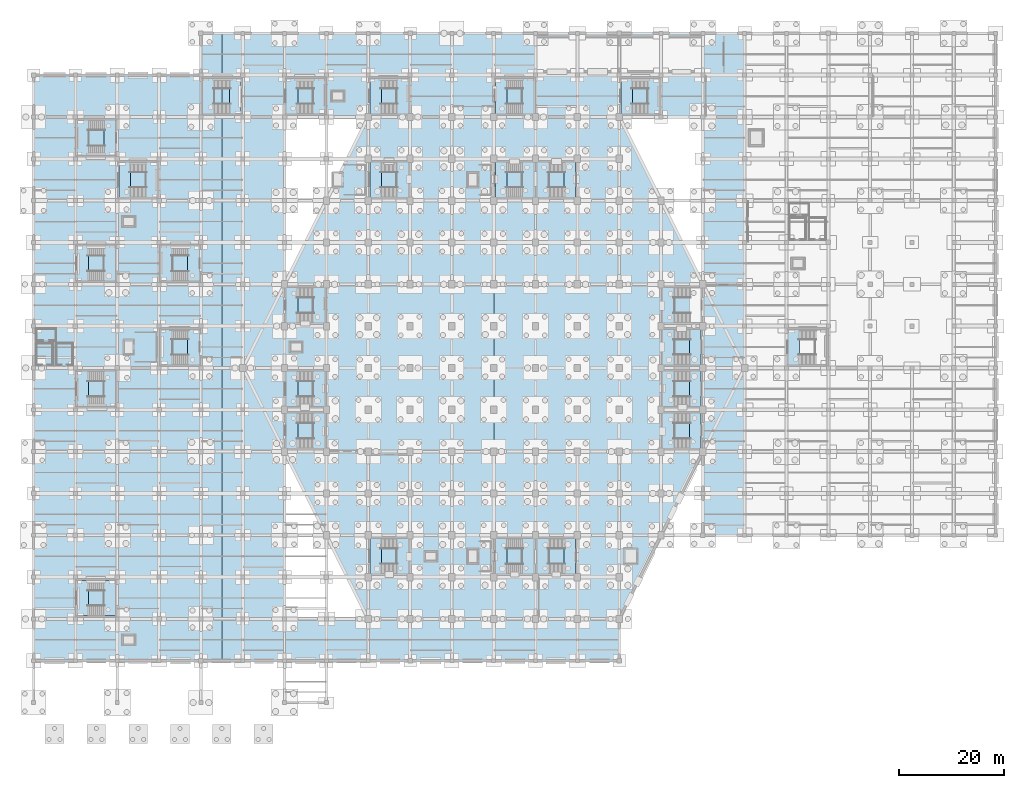
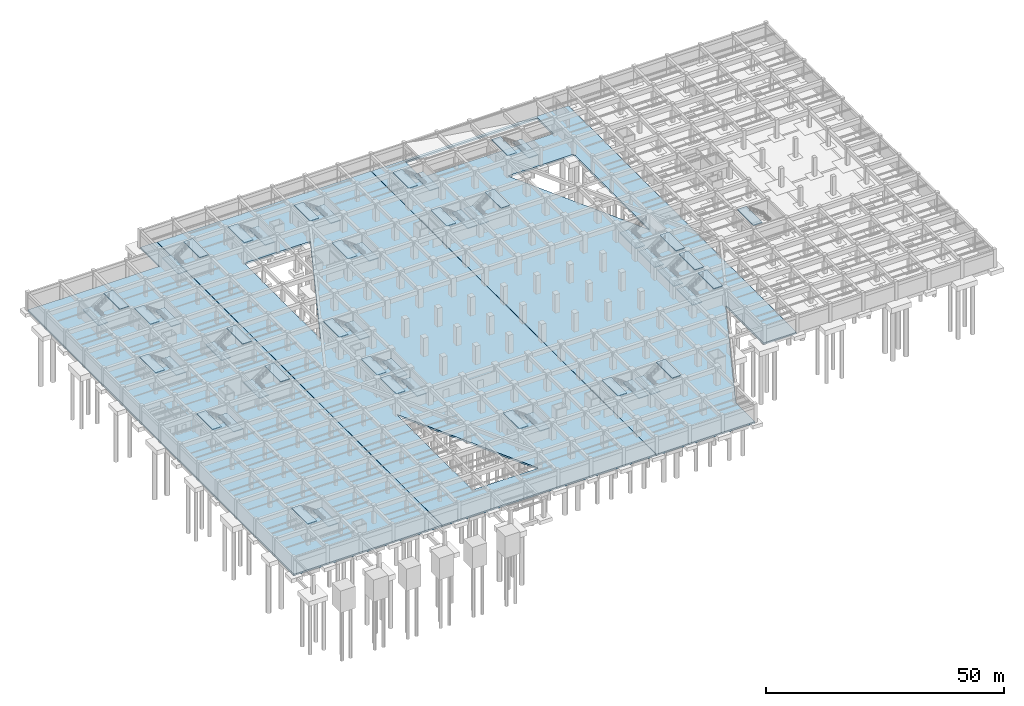
# One storey, part 21 of 36: 53 slabs, 26 elements without a shape of their own.
"""IFC4 building model written with IfcOpenShell, lengths in metres."""

from ifc_helpers import new_model, si_unit, direction, frame, origin, place, context, subcontext, project, spatial, polyline, outline, extrude, material, layer, layer_set, type_object, element, aggregate, save


model = new_model("IFC4")

# Units and contexts
model_context = context("Model", 3, precision=1e-05, world=origin(), true_north=direction((0.0, 1.0)))
body_context = subcontext(model_context, "Body", "Model", "MODEL_VIEW")
ifc_project = project(units=[si_unit("LENGTHUNIT", "METRE"), si_unit("AREAUNIT", "SQUARE_METRE"), si_unit("VOLUMEUNIT", "CUBIC_METRE"), si_unit("PLANEANGLEUNIT", "RADIAN"), si_unit("MASSUNIT", "GRAM", prefix="KILO")], contexts=[model_context])

# Site, building, storey
site_placement = place(None, origin())
site = spatial("IfcSite", under=ifc_project, at=site_placement, CompositionType="ELEMENT")
building_placement = place(site_placement, origin())
building = spatial("IfcBuilding", under=site, at=building_placement, Name="Tazarka Park Arena", CompositionType="ELEMENT")
storey_placement = place(building_placement, frame((0.0, 0.0, -4.800048828125)))
storey = spatial("IfcBuildingStorey", under=building, at=storey_placement, Name="B1", CompositionType="ELEMENT", Elevation=-4.800048828125)

# Stair, slabs
ifc_material_1 = material(Name="Precast concrete C40/50", Category="concrete")
stair_type_1 = type_object("IfcStairType", Name="STR-2400", PredefinedType="HALF_TURN_STAIR", material=ifc_material_1)
stair_1_placement = place(storey_placement, origin())
stair_1 = element("IfcStair", 1, at=stair_1_placement, inside=storey, type_object=stair_type_1, Name="Stair ST01 B1", PredefinedType="HALF_TURN_STAIR")
ifc_material_2 = material(Name="Precast concrete C40/50", Category="concrete")
ifc_layer_1 = layer(ifc_material_2, 0.199951171875, Name="Precast concrete C40/50")
ifc_layer_set_1 = layer_set([ifc_layer_1], Name="Precast concrete C40/50")
slab_type_1 = type_object("IfcSlabType", Name="LND-01", PredefinedType="LANDING", material=ifc_layer_set_1)
slab_1_placement = place(storey_placement, frame((0.0, 0.0, 2.199951171875)))
slab_1 = element("IfcSlab", 2, at=slab_1_placement, type_object=slab_type_1, Name="ST01-B1 landing 1", PredefinedType="LANDING", context=body_context, shape_type="SweptSolid", body=[
    extrude(outline(polyline([(13.409912109375, 56.610107421875), (15.68994140625, 56.610107421875), (15.68994140625, 63.389892578125), (13.409912109375, 63.389892578125), (13.409912109375, 56.610107421875)])), origin(), (0.0, 0.0, 1.0), 0.2001953125),
])
slab_2_placement = place(storey_placement, frame((0.0, 0.0, 4.60009765625)))
slab_2 = element("IfcSlab", 3, at=slab_2_placement, type_object=slab_type_1, Name="ST01-B1 landing 2", PredefinedType="LANDING", context=body_context, shape_type="SweptSolid", body=[
    extrude(outline(polyline([(8.31005859375, 56.610107421875), (10.534912109375, 56.610107421875), (10.534912109375, 63.389892578125), (8.31005859375, 63.389892578125), (8.31005859375, 56.610107421875)])), origin(), (0.0, 0.0, 1.0), 0.199951171875),
])
aggregate(stair_1, [slab_1, slab_2])

stair_2_placement = place(storey_placement, origin())
stair_2 = element("IfcStair", 4, at=stair_2_placement, inside=storey, type_object=stair_type_1, Name="Stair ST02 B1", PredefinedType="HALF_TURN_STAIR")
slab_3_placement = place(storey_placement, frame((0.0, 0.0, 2.199951171875)))
slab_3 = element("IfcSlab", 5, at=slab_3_placement, type_object=slab_type_1, Name="ST02-B1 landing 1", PredefinedType="LANDING", context=body_context, shape_type="SweptSolid", body=[
    extrude(outline(polyline([(13.409912109375, 80.610107421875), (15.68994140625, 80.610107421875), (15.68994140625, 87.389892578125), (13.409912109375, 87.389892578125), (13.409912109375, 80.610107421875)])), origin(), (0.0, 0.0, 1.0), 0.2001953125),
])
slab_4_placement = place(storey_placement, frame((0.0, 0.0, 4.60009765625)))
slab_4 = element("IfcSlab", 6, at=slab_4_placement, type_object=slab_type_1, Name="ST02-B1 landing 2", PredefinedType="LANDING", context=body_context, shape_type="SweptSolid", body=[
    extrude(outline(polyline([(8.31005859375, 80.610107421875), (10.534912109375, 80.610107421875), (10.534912109375, 87.389892578125), (8.31005859375, 87.389892578125), (8.31005859375, 80.610107421875)])), origin(), (0.0, 0.0, 1.0), 0.199951171875),
])
aggregate(stair_2, [slab_3, slab_4])

stair_3_placement = place(storey_placement, origin())
stair_3 = element("IfcStair", 7, at=stair_3_placement, inside=storey, type_object=stair_type_1, Name="Stair ST03 B1", PredefinedType="HALF_TURN_STAIR")
slab_5_placement = place(storey_placement, frame((0.0, 0.0, 2.199951171875)))
slab_5 = element("IfcSlab", 8, at=slab_5_placement, type_object=slab_type_1, Name="ST03-B1 landing 1", PredefinedType="LANDING", context=body_context, shape_type="SweptSolid", body=[
    extrude(outline(polyline([(21.409912109375, 96.610107421875), (23.68994140625, 96.610107421875), (23.68994140625, 103.389892578125), (21.409912109375, 103.389892578125), (21.409912109375, 96.610107421875)])), origin(), (0.0, 0.0, 1.0), 0.2001953125),
])
slab_6_placement = place(storey_placement, frame((0.0, 0.0, 4.60009765625)))
slab_6 = element("IfcSlab", 9, at=slab_6_placement, type_object=slab_type_1, Name="ST03-B1 landing 2", PredefinedType="LANDING", context=body_context, shape_type="SweptSolid", body=[
    extrude(outline(polyline([(16.31005859375, 96.610107421875), (18.534912109375, 96.610107421875), (18.534912109375, 103.389892578125), (16.31005859375, 103.389892578125), (16.31005859375, 96.610107421875)])), origin(), (0.0, 0.0, 1.0), 0.199951171875),
])
aggregate(stair_3, [slab_5, slab_6])

stair_4_placement = place(storey_placement, origin())
stair_4 = element("IfcStair", 10, at=stair_4_placement, inside=storey, type_object=stair_type_1, Name="Stair ST04 B1", PredefinedType="HALF_TURN_STAIR")
slab_7_placement = place(storey_placement, frame((0.0, 0.0, 2.199951171875)))
slab_7 = element("IfcSlab", 11, at=slab_7_placement, type_object=slab_type_1, Name="ST04-B1 landing 1", PredefinedType="LANDING", context=body_context, shape_type="SweptSolid", body=[
    extrude(outline(polyline([(32.31005859375, 112.610107421875), (34.590087890625, 112.610107421875), (34.590087890625, 119.389892578125), (32.31005859375, 119.389892578125), (32.31005859375, 112.610107421875)])), origin(), (0.0, 0.0, 1.0), 0.2001953125),
])
slab_8_placement = place(storey_placement, frame((0.0, 0.0, 4.60009765625)))
slab_8 = element("IfcSlab", 12, at=slab_8_placement, type_object=slab_type_1, Name="ST04-B1 landing 2", PredefinedType="LANDING", context=body_context, shape_type="SweptSolid", body=[
    extrude(outline(polyline([(37.465087890625, 112.610107421875), (39.68994140625, 112.610107421875), (39.68994140625, 119.389892578125), (37.465087890625, 119.389892578125), (37.465087890625, 112.610107421875)])), origin(), (0.0, 0.0, 1.0), 0.199951171875),
])
aggregate(stair_4, [slab_7, slab_8])

stair_5_placement = place(storey_placement, origin())
stair_5 = element("IfcStair", 13, at=stair_5_placement, inside=storey, type_object=stair_type_1, Name="Stair ST05 B1", PredefinedType="HALF_TURN_STAIR")
slab_9_placement = place(storey_placement, frame((0.0, 0.0, 2.199951171875)))
slab_9 = element("IfcSlab", 14, at=slab_9_placement, type_object=slab_type_1, Name="ST05-B1 landing 1", PredefinedType="LANDING", context=body_context, shape_type="SweptSolid", body=[
    extrude(outline(polyline([(53.409912109375, 112.610107421875), (55.68994140625, 112.610107421875), (55.68994140625, 119.389892578125), (53.409912109375, 119.389892578125), (53.409912109375, 112.610107421875)])), origin(), (0.0, 0.0, 1.0), 0.2001953125),
])
slab_10_placement = place(storey_placement, frame((0.0, 0.0, 4.60009765625)))
slab_10 = element("IfcSlab", 15, at=slab_10_placement, type_object=slab_type_1, Name="ST05-B1 landing 2", PredefinedType="LANDING", context=body_context, shape_type="SweptSolid", body=[
    extrude(outline(polyline([(48.31005859375, 112.610107421875), (50.534912109375, 112.610107421875), (50.534912109375, 119.389892578125), (48.31005859375, 119.389892578125), (48.31005859375, 112.610107421875)])), origin(), (0.0, 0.0, 1.0), 0.199951171875),
])
aggregate(stair_5, [slab_9, slab_10])

stair_6_placement = place(storey_placement, origin())
stair_6 = element("IfcStair", 16, at=stair_6_placement, inside=storey, type_object=stair_type_1, Name="Stair ST06 B1", PredefinedType="HALF_TURN_STAIR")
slab_11_placement = place(storey_placement, frame((0.0, 0.0, 2.199951171875)))
slab_11 = element("IfcSlab", 17, at=slab_11_placement, type_object=slab_type_1, Name="ST06-B1 landing 1", PredefinedType="LANDING", context=body_context, shape_type="SweptSolid", body=[
    extrude(outline(polyline([(69.409912109375, 112.610107421875), (71.68994140625, 112.610107421875), (71.68994140625, 119.389892578125), (69.409912109375, 119.389892578125), (69.409912109375, 112.610107421875)])), origin(), (0.0, 0.0, 1.0), 0.2001953125),
])
slab_12_placement = place(storey_placement, frame((0.0, 0.0, 4.60009765625)))
slab_12 = element("IfcSlab", 18, at=slab_12_placement, type_object=slab_type_1, Name="ST06-B1 landing 2", PredefinedType="LANDING", context=body_context, shape_type="SweptSolid", body=[
    extrude(outline(polyline([(64.31005859375, 112.610107421875), (66.534912109375, 112.610107421875), (66.534912109375, 119.389892578125), (64.31005859375, 119.389892578125), (64.31005859375, 112.610107421875)])), origin(), (0.0, 0.0, 1.0), 0.199951171875),
])
aggregate(stair_6, [slab_11, slab_12])

stair_7_placement = place(storey_placement, origin())
stair_7 = element("IfcStair", 19, at=stair_7_placement, inside=storey, type_object=stair_type_1, Name="Stair ST07 B1", PredefinedType="HALF_TURN_STAIR")
slab_13_placement = place(storey_placement, frame((0.0, 0.0, 2.199951171875)))
slab_13 = element("IfcSlab", 20, at=slab_13_placement, type_object=slab_type_1, Name="ST07-B1 landing 1", PredefinedType="LANDING", context=body_context, shape_type="SweptSolid", body=[
    extrude(outline(polyline([(93.409912109375, 112.610107421875), (95.68994140625, 112.610107421875), (95.68994140625, 119.389892578125), (93.409912109375, 119.389892578125), (93.409912109375, 112.610107421875)])), origin(), (0.0, 0.0, 1.0), 0.2001953125),
])
slab_14_placement = place(storey_placement, frame((0.0, 0.0, 4.60009765625)))
slab_14 = element("IfcSlab", 21, at=slab_14_placement, type_object=slab_type_1, Name="ST07-B1 landing 2", PredefinedType="LANDING", context=body_context, shape_type="SweptSolid", body=[
    extrude(outline(polyline([(88.31005859375, 112.610107421875), (90.534912109375, 112.610107421875), (90.534912109375, 119.389892578125), (88.31005859375, 119.389892578125), (88.31005859375, 112.610107421875)])), origin(), (0.0, 0.0, 1.0), 0.199951171875),
])
aggregate(stair_7, [slab_13, slab_14])

stair_8_placement = place(storey_placement, origin())
stair_8 = element("IfcStair", 22, at=stair_8_placement, inside=storey, type_object=stair_type_1, Name="Stair ST08 B1", PredefinedType="HALF_TURN_STAIR")
slab_15_placement = place(storey_placement, frame((0.0, 0.0, 2.199951171875)))
slab_15 = element("IfcSlab", 23, at=slab_15_placement, type_object=slab_type_1, Name="ST08-B1 landing 1", PredefinedType="LANDING", context=body_context, shape_type="SweptSolid", body=[
    extrude(outline(polyline([(117.409912109375, 112.610107421875), (119.68994140625, 112.610107421875), (119.68994140625, 119.389892578125), (117.409912109375, 119.389892578125), (117.409912109375, 112.610107421875)])), origin(), (0.0, 0.0, 1.0), 0.2001953125),
])
slab_16_placement = place(storey_placement, frame((0.0, 0.0, 4.60009765625)))
slab_16 = element("IfcSlab", 24, at=slab_16_placement, type_object=slab_type_1, Name="ST08-B1 landing 2", PredefinedType="LANDING", context=body_context, shape_type="SweptSolid", body=[
    extrude(outline(polyline([(112.31005859375, 112.610107421875), (114.534912109375, 112.610107421875), (114.534912109375, 119.389892578125), (112.31005859375, 119.389892578125), (112.31005859375, 112.610107421875)])), origin(), (0.0, 0.0, 1.0), 0.199951171875),
])
aggregate(stair_8, [slab_15, slab_16])

stair_9_placement = place(storey_placement, origin())
stair_9 = element("IfcStair", 25, at=stair_9_placement, inside=storey, type_object=stair_type_1, Name="Stair ST09 B1", PredefinedType="HALF_TURN_STAIR")
slab_17_placement = place(storey_placement, frame((0.0, 0.0, 2.199951171875)))
slab_17 = element("IfcSlab", 26, at=slab_17_placement, type_object=slab_type_1, Name="ST09-B1 landing 1", PredefinedType="LANDING", context=body_context, shape_type="SweptSolid", body=[
    extrude(outline(polyline([(69.409912109375, 24.610107421875), (71.68994140625, 24.610107421875), (71.68994140625, 31.389892578125), (69.409912109375, 31.389892578125), (69.409912109375, 24.610107421875)])), origin(), (0.0, 0.0, 1.0), 0.2001953125),
])
slab_18_placement = place(storey_placement, frame((0.0, 0.0, 4.60009765625)))
slab_18 = element("IfcSlab", 27, at=slab_18_placement, type_object=slab_type_1, Name="ST09-B1 landing 2", PredefinedType="LANDING", context=body_context, shape_type="SweptSolid", body=[
    extrude(outline(polyline([(64.31005859375, 24.610107421875), (66.534912109375, 24.610107421875), (66.534912109375, 31.389892578125), (64.31005859375, 31.389892578125), (64.31005859375, 24.610107421875)])), origin(), (0.0, 0.0, 1.0), 0.199951171875),
])
aggregate(stair_9, [slab_17, slab_18])

stair_10_placement = place(storey_placement, origin())
stair_10 = element("IfcStair", 28, at=stair_10_placement, inside=storey, type_object=stair_type_1, Name="Stair ST10 B1", PredefinedType="HALF_TURN_STAIR")
slab_19_placement = place(storey_placement, frame((0.0, 0.0, 2.199951171875)))
slab_19 = element("IfcSlab", 29, at=slab_19_placement, type_object=slab_type_1, Name="ST10-B1 landing 1", PredefinedType="LANDING", context=body_context, shape_type="SweptSolid", body=[
    extrude(outline(polyline([(96.31005859375, 96.610107421875), (98.590087890625, 96.610107421875), (98.590087890625, 103.389892578125), (96.31005859375, 103.389892578125), (96.31005859375, 96.610107421875)])), origin(), (0.0, 0.0, 1.0), 0.2001953125),
])
slab_20_placement = place(storey_placement, frame((0.0, 0.0, 4.60009765625)))
slab_20 = element("IfcSlab", 30, at=slab_20_placement, type_object=slab_type_1, Name="ST10-B1 landing 2", PredefinedType="LANDING", context=body_context, shape_type="SweptSolid", body=[
    extrude(outline(polyline([(101.465087890625, 96.610107421875), (103.68994140625, 96.610107421875), (103.68994140625, 103.389892578125), (101.465087890625, 103.389892578125), (101.465087890625, 96.610107421875)])), origin(), (0.0, 0.0, 1.0), 0.199951171875),
])
aggregate(stair_10, [slab_19, slab_20])

stair_11_placement = place(storey_placement, origin())
stair_11 = element("IfcStair", 31, at=stair_11_placement, inside=storey, type_object=stair_type_1, Name="Stair ST11 B1", PredefinedType="HALF_TURN_STAIR")
slab_21_placement = place(storey_placement, frame((0.0, 0.0, 2.199951171875)))
slab_21 = element("IfcSlab", 32, at=slab_21_placement, type_object=slab_type_1, Name="ST11-B1 landing 1", PredefinedType="LANDING", context=body_context, shape_type="SweptSolid", body=[
    extrude(outline(polyline([(96.31005859375, 24.610107421875), (98.590087890625, 24.610107421875), (98.590087890625, 31.389892578125), (96.31005859375, 31.389892578125), (96.31005859375, 24.610107421875)])), origin(), (0.0, 0.0, 1.0), 0.2001953125),
])
slab_22_placement = place(storey_placement, frame((0.0, 0.0, 4.60009765625)))
slab_22 = element("IfcSlab", 33, at=slab_22_placement, type_object=slab_type_1, Name="ST11-B1 landing 2", PredefinedType="LANDING", context=body_context, shape_type="SweptSolid", body=[
    extrude(outline(polyline([(101.465087890625, 24.610107421875), (103.68994140625, 24.610107421875), (103.68994140625, 31.389892578125), (101.465087890625, 31.389892578125), (101.465087890625, 24.610107421875)])), origin(), (0.0, 0.0, 1.0), 0.199951171875),
])
aggregate(stair_11, [slab_21, slab_22])

stair_12_placement = place(storey_placement, origin())
stair_12 = element("IfcStair", 34, at=stair_12_placement, inside=storey, type_object=stair_type_1, Name="Stair ST12 B1", PredefinedType="HALF_TURN_STAIR")
slab_23_placement = place(storey_placement, frame((0.0, 0.0, 2.199951171875)))
slab_23 = element("IfcSlab", 35, at=slab_23_placement, type_object=slab_type_1, Name="ST12-B1 landing 1", PredefinedType="LANDING", context=body_context, shape_type="SweptSolid", body=[
    extrude(outline(polyline([(120.31005859375, 56.610107421875), (122.590087890625, 56.610107421875), (122.590087890625, 63.389892578125), (120.31005859375, 63.389892578125), (120.31005859375, 56.610107421875)])), origin(), (0.0, 0.0, 1.0), 0.2001953125),
])
slab_24_placement = place(storey_placement, frame((0.0, 0.0, 4.60009765625)))
slab_24 = element("IfcSlab", 36, at=slab_24_placement, type_object=slab_type_1, Name="ST12-B1 landing 2", PredefinedType="LANDING", context=body_context, shape_type="SweptSolid", body=[
    extrude(outline(polyline([(125.465087890625, 56.610107421875), (127.68994140625, 56.610107421875), (127.68994140625, 63.389892578125), (125.465087890625, 63.389892578125), (125.465087890625, 56.610107421875)])), origin(), (0.0, 0.0, 1.0), 0.199951171875),
])
aggregate(stair_12, [slab_23, slab_24])

stair_13_placement = place(storey_placement, origin())
stair_13 = element("IfcStair", 37, at=stair_13_placement, inside=storey, type_object=stair_type_1, Name="Stair ST13 B1", PredefinedType="HALF_TURN_STAIR")
slab_25_placement = place(storey_placement, frame((0.0, 0.0, 2.199951171875)))
slab_25 = element("IfcSlab", 38, at=slab_25_placement, type_object=slab_type_1, Name="ST13-B1 landing 1", PredefinedType="LANDING", context=body_context, shape_type="SweptSolid", body=[
    extrude(outline(polyline([(53.409912109375, 56.610107421875), (55.68994140625, 56.610107421875), (55.68994140625, 63.389892578125), (53.409912109375, 63.389892578125), (53.409912109375, 56.610107421875)])), origin(), (0.0, 0.0, 1.0), 0.2001953125),
])
slab_26_placement = place(storey_placement, frame((0.0, 0.0, 4.60009765625)))
slab_26 = element("IfcSlab", 39, at=slab_26_placement, type_object=slab_type_1, Name="ST13-B1 landing 2", PredefinedType="LANDING", context=body_context, shape_type="SweptSolid", body=[
    extrude(outline(polyline([(48.31005859375, 56.610107421875), (50.534912109375, 56.610107421875), (50.534912109375, 63.389892578125), (48.31005859375, 63.389892578125), (48.31005859375, 56.610107421875)])), origin(), (0.0, 0.0, 1.0), 0.199951171875),
])
aggregate(stair_13, [slab_25, slab_26])

stair_14_placement = place(storey_placement, origin())
stair_14 = element("IfcStair", 40, at=stair_14_placement, inside=storey, type_object=stair_type_1, Name="Stair ST14 B1", PredefinedType="HALF_TURN_STAIR")
slab_27_placement = place(storey_placement, frame((0.0, 0.0, 2.199951171875)))
slab_27 = element("IfcSlab", 41, at=slab_27_placement, type_object=slab_type_1, Name="ST14-B1 landing 1", PredefinedType="LANDING", context=body_context, shape_type="SweptSolid", body=[
    extrude(outline(polyline([(69.409912109375, 96.610107421875), (71.68994140625, 96.610107421875), (71.68994140625, 103.389892578125), (69.409912109375, 103.389892578125), (69.409912109375, 96.610107421875)])), origin(), (0.0, 0.0, 1.0), 0.2001953125),
])
slab_28_placement = place(storey_placement, frame((0.0, 0.0, 4.60009765625)))
slab_28 = element("IfcSlab", 42, at=slab_28_placement, type_object=slab_type_1, Name="ST14-B1 landing 2", PredefinedType="LANDING", context=body_context, shape_type="SweptSolid", body=[
    extrude(outline(polyline([(64.31005859375, 96.610107421875), (66.534912109375, 96.610107421875), (66.534912109375, 103.389892578125), (64.31005859375, 103.389892578125), (64.31005859375, 96.610107421875)])), origin(), (0.0, 0.0, 1.0), 0.199951171875),
])
aggregate(stair_14, [slab_27, slab_28])

stair_15_placement = place(storey_placement, origin())
stair_15 = element("IfcStair", 43, at=stair_15_placement, inside=storey, type_object=stair_type_1, Name="Stair ST15 B1", PredefinedType="HALF_TURN_STAIR")
slab_29_placement = place(storey_placement, frame((0.0, 0.0, 2.199951171875)))
slab_29 = element("IfcSlab", 44, at=slab_29_placement, type_object=slab_type_1, Name="ST15-B1 landing 1", PredefinedType="LANDING", context=body_context, shape_type="SweptSolid", body=[
    extrude(outline(polyline([(93.409912109375, 96.610107421875), (95.68994140625, 96.610107421875), (95.68994140625, 103.389892578125), (93.409912109375, 103.389892578125), (93.409912109375, 96.610107421875)])), origin(), (0.0, 0.0, 1.0), 0.2001953125),
])
slab_30_placement = place(storey_placement, frame((0.0, 0.0, 4.60009765625)))
slab_30 = element("IfcSlab", 45, at=slab_30_placement, type_object=slab_type_1, Name="ST15-B1 landing 2", PredefinedType="LANDING", context=body_context, shape_type="SweptSolid", body=[
    extrude(outline(polyline([(88.31005859375, 96.610107421875), (90.534912109375, 96.610107421875), (90.534912109375, 103.389892578125), (88.31005859375, 103.389892578125), (88.31005859375, 96.610107421875)])), origin(), (0.0, 0.0, 1.0), 0.199951171875),
])
aggregate(stair_15, [slab_29, slab_30])

stair_16_placement = place(storey_placement, origin())
stair_16 = element("IfcStair", 46, at=stair_16_placement, inside=storey, type_object=stair_type_1, Name="Stair ST16 B1", PredefinedType="HALF_TURN_STAIR")
slab_31_placement = place(storey_placement, frame((0.0, 0.0, 2.199951171875)))
slab_31 = element("IfcSlab", 47, at=slab_31_placement, type_object=slab_type_1, Name="ST16-B1 landing 1", PredefinedType="LANDING", context=body_context, shape_type="SweptSolid", body=[
    extrude(outline(polyline([(120.31005859375, 64.610107421875), (122.590087890625, 64.610107421875), (122.590087890625, 71.389892578125), (120.31005859375, 71.389892578125), (120.31005859375, 64.610107421875)])), origin(), (0.0, 0.0, 1.0), 0.2001953125),
])
slab_32_placement = place(storey_placement, frame((0.0, 0.0, 4.60009765625)))
slab_32 = element("IfcSlab", 48, at=slab_32_placement, type_object=slab_type_1, Name="ST16-B1 landing 2", PredefinedType="LANDING", context=body_context, shape_type="SweptSolid", body=[
    extrude(outline(polyline([(125.465087890625, 64.610107421875), (127.68994140625, 64.610107421875), (127.68994140625, 71.389892578125), (125.465087890625, 71.389892578125), (125.465087890625, 64.610107421875)])), origin(), (0.0, 0.0, 1.0), 0.199951171875),
])
aggregate(stair_16, [slab_31, slab_32])

stair_17_placement = place(storey_placement, origin())
stair_17 = element("IfcStair", 49, at=stair_17_placement, inside=storey, type_object=stair_type_1, Name="Stair ST17 B1", PredefinedType="HALF_TURN_STAIR")
slab_33_placement = place(storey_placement, frame((0.0, 0.0, 2.199951171875)))
slab_33 = element("IfcSlab", 50, at=slab_33_placement, type_object=slab_type_1, Name="ST17-B1 landing 1", PredefinedType="LANDING", context=body_context, shape_type="SweptSolid", body=[
    extrude(outline(polyline([(13.409912109375, 16.610107421875), (15.68994140625, 16.610107421875), (15.68994140625, 23.389892578125), (13.409912109375, 23.389892578125), (13.409912109375, 16.610107421875)])), origin(), (0.0, 0.0, 1.0), 0.2001953125),
])
slab_34_placement = place(storey_placement, frame((0.0, 0.0, 4.60009765625)))
slab_34 = element("IfcSlab", 51, at=slab_34_placement, type_object=slab_type_1, Name="ST17-B1 landing 2", PredefinedType="LANDING", context=body_context, shape_type="SweptSolid", body=[
    extrude(outline(polyline([(8.31005859375, 16.610107421875), (10.534912109375, 16.610107421875), (10.534912109375, 23.389892578125), (8.31005859375, 23.389892578125), (8.31005859375, 16.610107421875)])), origin(), (0.0, 0.0, 1.0), 0.199951171875),
])
aggregate(stair_17, [slab_33, slab_34])

# Stair, slab
stair_18_placement = place(storey_placement, origin())
stair_18 = element("IfcStair", 52, at=stair_18_placement, inside=storey, type_object=stair_type_1, Name="Stair ST18 B1", PredefinedType="HALF_TURN_STAIR")
slab_35_placement = place(storey_placement, frame((0.0, 0.0, 4.60009765625)))
slab_35 = element("IfcSlab", 53, at=slab_35_placement, type_object=slab_type_1, Name="ST18-B1 landing 2", PredefinedType="LANDING", context=body_context, shape_type="SweptSolid", body=[
    extrude(outline(polyline([(144.31005859375, 64.610107421875), (146.534912109375, 64.610107421875), (146.534912109375, 71.389892578125), (144.31005859375, 71.389892578125), (144.31005859375, 64.610107421875)])), origin(), (0.0, 0.0, 1.0), 0.199951171875),
])
aggregate(stair_18, [slab_35])

# Stair, slabs
ifc_material_3 = material(Name="Precast concrete C40/50", Category="concrete")
stair_type_2 = type_object("IfcStairType", Name="STR-1800", PredefinedType="HALF_TURN_STAIR", material=ifc_material_3)
stair_19_placement = place(storey_placement, origin())
stair_19 = element("IfcStair", 54, at=stair_19_placement, inside=storey, type_object=stair_type_2, Name="Vomitory Stair ST19 B1", PredefinedType="HALF_TURN_STAIR")
slab_36_placement = place(storey_placement, frame((0.0, 0.0, 2.199951171875)))
slab_36 = element("IfcSlab", 55, at=slab_36_placement, type_object=slab_type_1, Name="ST19-B1 landing 1", PredefinedType="LANDING", context=body_context, shape_type="SweptSolid", body=[
    extrude(outline(polyline([(53.409912109375, 48.610107421875), (55.68994140625, 48.610107421875), (55.68994140625, 55.389892578125), (53.409912109375, 55.389892578125), (53.409912109375, 48.610107421875)])), origin(), (0.0, 0.0, 1.0), 0.2001953125),
])
slab_37_placement = place(storey_placement, frame((0.0, 0.0, 4.60009765625)))
slab_37 = element("IfcSlab", 56, at=slab_37_placement, type_object=slab_type_1, Name="ST19-B1 landing 2", PredefinedType="LANDING", context=body_context, shape_type="SweptSolid", body=[
    extrude(outline(polyline([(48.31005859375, 48.610107421875), (50.534912109375, 48.610107421875), (50.534912109375, 55.389892578125), (48.31005859375, 55.389892578125), (48.31005859375, 48.610107421875)])), origin(), (0.0, 0.0, 1.0), 0.199951171875),
])
aggregate(stair_19, [slab_36, slab_37])

stair_20_placement = place(storey_placement, origin())
stair_20 = element("IfcStair", 57, at=stair_20_placement, inside=storey, type_object=stair_type_2, Name="Vomitory Stair ST20 B1", PredefinedType="HALF_TURN_STAIR")
slab_38_placement = place(storey_placement, frame((0.0, 0.0, 2.199951171875)))
slab_38 = element("IfcSlab", 58, at=slab_38_placement, type_object=slab_type_1, Name="ST20-B1 landing 1", PredefinedType="LANDING", context=body_context, shape_type="SweptSolid", body=[
    extrude(outline(polyline([(53.409912109375, 72.610107421875), (55.68994140625, 72.610107421875), (55.68994140625, 79.389892578125), (53.409912109375, 79.389892578125), (53.409912109375, 72.610107421875)])), origin(), (0.0, 0.0, 1.0), 0.2001953125),
])
slab_39_placement = place(storey_placement, frame((0.0, 0.0, 4.60009765625)))
slab_39 = element("IfcSlab", 59, at=slab_39_placement, type_object=slab_type_1, Name="ST20-B1 landing 2", PredefinedType="LANDING", context=body_context, shape_type="SweptSolid", body=[
    extrude(outline(polyline([(48.31005859375, 72.610107421875), (50.534912109375, 72.610107421875), (50.534912109375, 79.389892578125), (48.31005859375, 79.389892578125), (48.31005859375, 72.610107421875)])), origin(), (0.0, 0.0, 1.0), 0.199951171875),
])
aggregate(stair_20, [slab_38, slab_39])

stair_21_placement = place(storey_placement, origin())
stair_21 = element("IfcStair", 60, at=stair_21_placement, inside=storey, type_object=stair_type_2, Name="Vomitory Stair ST21 B1", PredefinedType="HALF_TURN_STAIR")
slab_40_placement = place(storey_placement, frame((0.0, 0.0, 2.199951171875)))
slab_40 = element("IfcSlab", 61, at=slab_40_placement, type_object=slab_type_1, Name="ST21-B1 landing 1", PredefinedType="LANDING", context=body_context, shape_type="SweptSolid", body=[
    extrude(outline(polyline([(120.31005859375, 48.610107421875), (122.590087890625, 48.610107421875), (122.590087890625, 55.389892578125), (120.31005859375, 55.389892578125), (120.31005859375, 48.610107421875)])), origin(), (0.0, 0.0, 1.0), 0.2001953125),
])
slab_41_placement = place(storey_placement, frame((0.0, 0.0, 4.60009765625)))
slab_41 = element("IfcSlab", 62, at=slab_41_placement, type_object=slab_type_1, Name="ST21-B1 landing 2", PredefinedType="LANDING", context=body_context, shape_type="SweptSolid", body=[
    extrude(outline(polyline([(125.465087890625, 48.610107421875), (127.68994140625, 48.610107421875), (127.68994140625, 55.389892578125), (125.465087890625, 55.389892578125), (125.465087890625, 48.610107421875)])), origin(), (0.0, 0.0, 1.0), 0.199951171875),
])
aggregate(stair_21, [slab_40, slab_41])

# Stair, slab
stair_22_placement = place(storey_placement, origin())
stair_22 = element("IfcStair", 63, at=stair_22_placement, inside=storey, type_object=stair_type_2, Name="Vomitory Stair ST22 B1", PredefinedType="HALF_TURN_STAIR")
slab_42_placement = place(storey_placement, frame((0.0, 0.0, 2.199951171875)))
slab_42 = element("IfcSlab", 64, at=slab_42_placement, type_object=slab_type_1, Name="ST22-B1 landing 1", PredefinedType="LANDING", context=body_context, shape_type="SweptSolid", body=[
    extrude(outline(polyline([(120.31005859375, 72.610107421875), (122.590087890625, 72.610107421875), (122.590087890625, 79.389892578125), (120.31005859375, 79.389892578125), (120.31005859375, 72.610107421875)])), origin(), (0.0, 0.0, 1.0), 0.2001953125),
])
aggregate(stair_22, [slab_42])

# Stair, slabs
stair_23_placement = place(storey_placement, origin())
stair_23 = element("IfcStair", 65, at=stair_23_placement, inside=storey, type_object=stair_type_2, Name="Vomitory Stair ST23 B1", PredefinedType="HALF_TURN_STAIR")
slab_43_placement = place(storey_placement, frame((0.0, 0.0, 2.199951171875)))
slab_43 = element("IfcSlab", 66, at=slab_43_placement, type_object=slab_type_1, Name="ST23-B1 landing 1", PredefinedType="LANDING", context=body_context, shape_type="SweptSolid", body=[
    extrude(outline(polyline([(93.409912109375, 24.610107421875), (95.68994140625, 24.610107421875), (95.68994140625, 31.389892578125), (93.409912109375, 31.389892578125), (93.409912109375, 24.610107421875)])), origin(), (0.0, 0.0, 1.0), 0.2001953125),
])
slab_44_placement = place(storey_placement, frame((0.0, 0.0, 4.60009765625)))
slab_44 = element("IfcSlab", 67, at=slab_44_placement, type_object=slab_type_1, Name="ST23-B1 landing 2", PredefinedType="LANDING", context=body_context, shape_type="SweptSolid", body=[
    extrude(outline(polyline([(88.31005859375, 24.610107421875), (90.534912109375, 24.610107421875), (90.534912109375, 31.389892578125), (88.31005859375, 31.389892578125), (88.31005859375, 24.610107421875)])), origin(), (0.0, 0.0, 1.0), 0.199951171875),
])
aggregate(stair_23, [slab_43, slab_44])

stair_24_placement = place(storey_placement, origin())
stair_24 = element("IfcStair", 68, at=stair_24_placement, inside=storey, type_object=stair_type_2, Name="Vomitory Stair ST24 B1", PredefinedType="HALF_TURN_STAIR")
slab_45_placement = place(storey_placement, frame((0.0, 0.0, 2.199951171875)))
slab_45 = element("IfcSlab", 69, at=slab_45_placement, type_object=slab_type_1, Name="ST24-B1 landing 1", PredefinedType="LANDING", context=body_context, shape_type="SweptSolid", body=[
    extrude(outline(polyline([(24.31005859375, 64.610107421875), (26.590087890625, 64.610107421875), (26.590087890625, 71.389892578125), (24.31005859375, 71.389892578125), (24.31005859375, 64.610107421875)])), origin(), (0.0, 0.0, 1.0), 0.2001953125),
])
slab_46_placement = place(storey_placement, frame((0.0, 0.0, 4.60009765625)))
slab_46 = element("IfcSlab", 70, at=slab_46_placement, type_object=slab_type_1, Name="ST24-B1 landing 2", PredefinedType="LANDING", context=body_context, shape_type="SweptSolid", body=[
    extrude(outline(polyline([(29.465087890625, 64.610107421875), (31.68994140625, 64.610107421875), (31.68994140625, 71.389892578125), (29.465087890625, 71.389892578125), (29.465087890625, 64.610107421875)])), origin(), (0.0, 0.0, 1.0), 0.199951171875),
])
aggregate(stair_24, [slab_45, slab_46])

stair_25_placement = place(storey_placement, origin())
stair_25 = element("IfcStair", 71, at=stair_25_placement, inside=storey, type_object=stair_type_2, Name="Vomitory Stair ST25 B1", PredefinedType="HALF_TURN_STAIR")
slab_47_placement = place(storey_placement, frame((0.0, 0.0, 2.199951171875)))
slab_47 = element("IfcSlab", 72, at=slab_47_placement, type_object=slab_type_1, Name="ST25-B1 landing 1", PredefinedType="LANDING", context=body_context, shape_type="SweptSolid", body=[
    extrude(outline(polyline([(8.31005859375, 104.610107421875), (10.590087890625, 104.610107421875), (10.590087890625, 111.389892578125), (8.31005859375, 111.389892578125), (8.31005859375, 104.610107421875)])), origin(), (0.0, 0.0, 1.0), 0.2001953125),
])
slab_48_placement = place(storey_placement, frame((0.0, 0.0, 4.60009765625)))
slab_48 = element("IfcSlab", 73, at=slab_48_placement, type_object=slab_type_1, Name="ST25-B1 landing 2", PredefinedType="LANDING", context=body_context, shape_type="SweptSolid", body=[
    extrude(outline(polyline([(13.465087890625, 104.610107421875), (15.68994140625, 104.610107421875), (15.68994140625, 111.389892578125), (13.465087890625, 111.389892578125), (13.465087890625, 104.610107421875)])), origin(), (0.0, 0.0, 1.0), 0.199951171875),
])
aggregate(stair_25, [slab_47, slab_48])

stair_26_placement = place(storey_placement, origin())
stair_26 = element("IfcStair", 74, at=stair_26_placement, inside=storey, type_object=stair_type_2, Name="Vomitory Stair ST26 B1", PredefinedType="HALF_TURN_STAIR")
slab_49_placement = place(storey_placement, frame((0.0, 0.0, 2.199951171875)))
slab_49 = element("IfcSlab", 75, at=slab_49_placement, type_object=slab_type_1, Name="ST26-B1 landing 1", PredefinedType="LANDING", context=body_context, shape_type="SweptSolid", body=[
    extrude(outline(polyline([(24.31005859375, 80.610107421875), (26.590087890625, 80.610107421875), (26.590087890625, 87.389892578125), (24.31005859375, 87.389892578125), (24.31005859375, 80.610107421875)])), origin(), (0.0, 0.0, 1.0), 0.2001953125),
])
slab_50_placement = place(storey_placement, frame((0.0, 0.0, 4.60009765625)))
slab_50 = element("IfcSlab", 76, at=slab_50_placement, type_object=slab_type_1, Name="ST26-B1 landing 2", PredefinedType="LANDING", context=body_context, shape_type="SweptSolid", body=[
    extrude(outline(polyline([(29.465087890625, 80.610107421875), (31.68994140625, 80.610107421875), (31.68994140625, 87.389892578125), (29.465087890625, 87.389892578125), (29.465087890625, 80.610107421875)])), origin(), (0.0, 0.0, 1.0), 0.199951171875),
])
aggregate(stair_26, [slab_49, slab_50])

# Slabs
ifc_material_4 = material(Name="Concrete C35/45", Category="concrete")
ifc_layer_2 = layer(ifc_material_4, 0.449951171875, Name="Concrete C35/45")
ifc_layer_set_2 = layer_set([ifc_layer_2], Name="Concrete C35/45")
slab_type_2 = type_object("IfcSlabType", Name="SLB-BS-01", PredefinedType="BASESLAB", material=ifc_layer_set_2)
slab_51_placement = place(storey_placement, frame((0.0, 0.0, -0.449951171875)))
element("IfcSlab", 77, at=slab_51_placement, inside=storey, type_object=slab_type_2, Name="FLR-B1-W-01", PredefinedType="BASESLAB", context=body_context, shape_type="SweptSolid", body=[
    extrude(outline(polyline([(0.030029296875, 8.0), (0.0, 8.030029296875), (0.001220703125, 119.978759765625), (32.0, 120.0), (32.00341796875, 127.984130859375), (35.958740234375, 127.998779296875), (35.978759765625, 8.021240234375), (0.030029296875, 8.0)])), origin(), (0.0, 0.0, 1.0), 0.449951171875),
])
slab_52_placement = place(storey_placement, frame((0.0, 0.0, -0.449951171875)))
element("IfcSlab", 78, at=slab_52_placement, inside=storey, type_object=slab_type_2, Name="FLR-B1-BW-01", PredefinedType="BASESLAB", context=body_context, shape_type="SweptSolid", body=[
    extrude(outline(polyline([(36.050048828125, 8.0), (36.02001953125, 8.030029296875), (36.022216796875, 127.9814453125), (87.96142578125, 127.997802734375), (87.977783203125, 8.0185546875), (36.050048828125, 8.0)]), holes=[polyline([(48.0, 80.0), (63.999755859375, 111.999267578125), (48.0, 112.0), (48.0, 80.0)]), polyline([(48.0, 16.000732421875), (64.0, 16.0), (48.0, 48.0), (48.0, 16.000732421875)])]), origin(), (0.0, 0.0, 1.0), 0.449951171875),
])
slab_53_placement = place(storey_placement, frame((0.0, 0.0, -0.449951171875)))
element("IfcSlab", 79, at=slab_53_placement, inside=storey, type_object=slab_type_2, Name="FLR-B1-BE-01", PredefinedType="BASESLAB", context=body_context, shape_type="SweptSolid", body=[
    extrude(outline(polyline([(88.050048828125, 8.0), (88.02001953125, 8.030029296875), (88.022216796875, 127.9814453125), (135.96142578125, 127.997802734375), (135.977783203125, 32.0185546875), (128.00341796875, 32.015869140625), (128.0, 48.0), (112.0, 16.0), (111.9912109375, 8.0087890625), (88.050048828125, 8.0)]), holes=[polyline([(95.949951171875, 120.64990234375), (128.050048828125, 120.64990234375), (128.050048828125, 127.35009765625), (95.949951171875, 127.35009765625), (95.949951171875, 120.64990234375)]), polyline([(128.0, 112.0), (112.000244140625, 111.999267578125), (128.0, 80.0), (128.0, 112.0)])]), origin(), (0.0, 0.0, 1.0), 0.449951171875),
])

save(model, "model.ifc")
